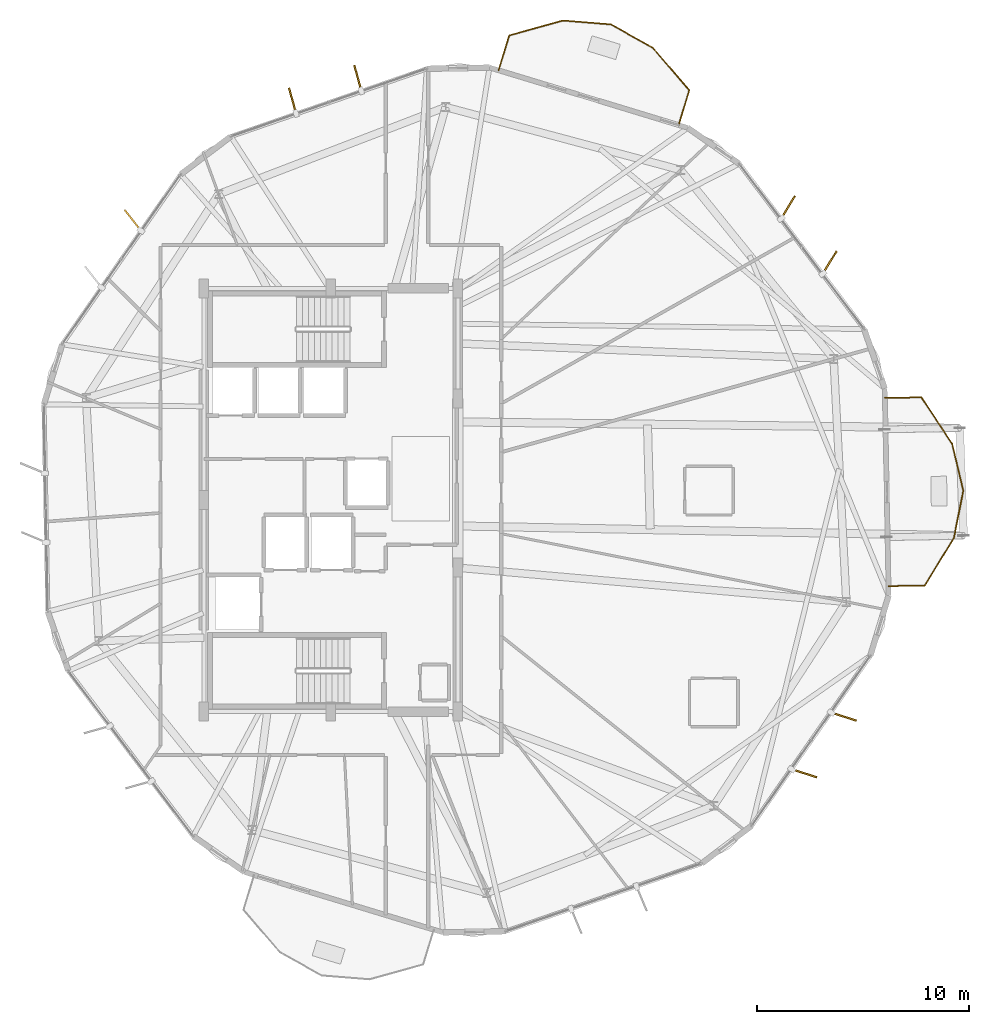
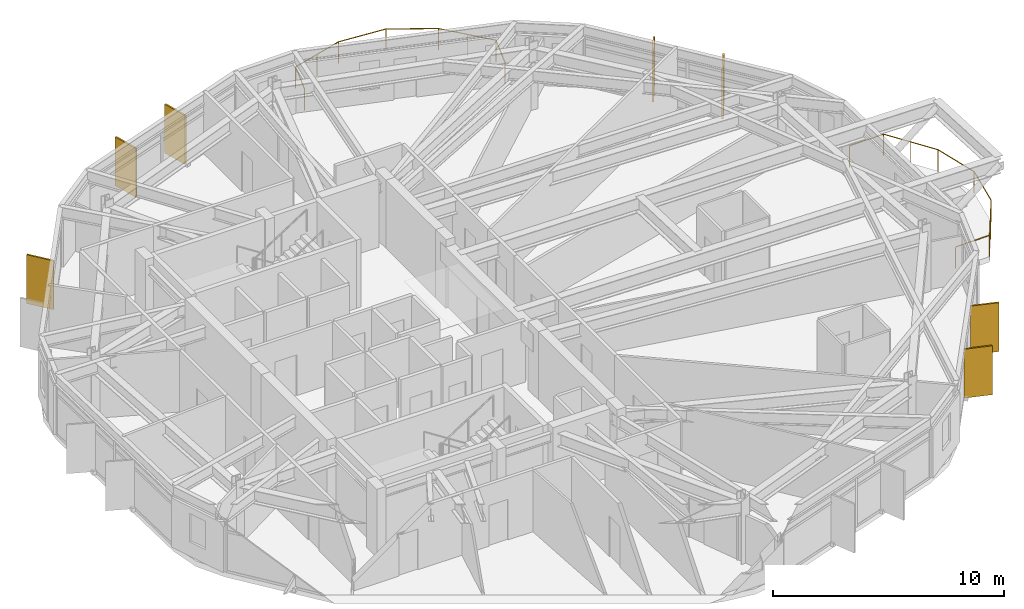
# One storey, part 34 of 34: 7 shading devices, 2 railings.
"""IFC4 building model written with IfcOpenShell, lengths in metres."""

from ifc_helpers import new_model, si_unit, direction, frame, origin, origin_2d, place, context, subcontext, project, spatial, rectangle, circle, extrude, material, layer, layer_set, type_object, element, save


model = new_model("IFC4")

# Units and contexts
model_context = context("Model", 3, precision=1e-05, world=origin(), true_north=direction((0.0, 1.0)))
body_context = subcontext(model_context, "Body", "Model", "MODEL_VIEW")
ifc_project = project(units=[si_unit("LENGTHUNIT", "METRE"), si_unit("AREAUNIT", "SQUARE_METRE"), si_unit("VOLUMEUNIT", "CUBIC_METRE"), si_unit("PLANEANGLEUNIT", "RADIAN"), si_unit("MASSUNIT", "GRAM", prefix="KILO")], contexts=[model_context])

# Site, building, storey
site_placement = place(None, origin())
site = spatial("IfcSite", under=ifc_project, at=site_placement, CompositionType="ELEMENT")
building_placement = place(site_placement, origin())
building = spatial("IfcBuilding", under=site, at=building_placement, Name="Soratama Intermodal Tower", CompositionType="ELEMENT")
storey_placement = place(building_placement, frame((0.0, 0.0, 233.800048828125)))
storey = spatial("IfcBuildingStorey", under=building, at=storey_placement, Name="L59", CompositionType="ELEMENT", Elevation=233.800048828125)

# Railings
ifc_material_1 = material(Name="Laminated glass and stainless steel balustrade", Category="steel")
railing_type = type_object("IfcRailingType", Name="RL-BAL-1150", PredefinedType="BALUSTRADE", material=ifc_material_1)
railing_1_placement = place(storey_placement, frame((64.789794921875, 29.82275390625, 0.0)))
element("IfcRailing", 1, at=railing_1_placement, inside=storey, type_object=railing_type, Name="L59 Balcony Balustrade 1", PredefinedType="BALUSTRADE", context=body_context, shape_type="SweptSolid", body=[
    extrude(circle(Radius=0.02392578125, at=origin_2d()), frame((0.0, 0.0, 1.1259765625), z_axis=(0.999824464561, 0.01873606322, 0.0), x_axis=(-0.01873606322, 0.999824464561, 0.0)), (0.0, 0.0, 1.0), 1.719970703125),
    extrude(circle(Radius=0.02392578125, at=origin_2d()), frame((1.7197265625, 0.0322265625, 1.1259765625), z_axis=(0.552582701725, -0.833458071983, 0.0), x_axis=(0.833458071983, 0.552582701725, 0.0)), (0.0, 0.0, 1.0), 2.63623046875),
    extrude(circle(Radius=0.02392578125, at=origin_2d()), frame((3.176513671875, -2.1650390625, 1.1259765625), z_axis=(0.23131605644, -0.972878657404, 0.0), x_axis=(0.972878657404, 0.23131605644, 0.0)), (0.0, 0.0, 1.0), 2.276611328125),
    extrude(circle(Radius=0.02392578125, at=origin_2d()), frame((3.703125, -4.3798828125, 1.1259765625), z_axis=(-0.194527945269, -0.980896976501, 0.0), x_axis=(0.980896976501, -0.194527945269, 0.0)), (0.0, 0.0, 1.0), 2.276611328125),
    extrude(circle(Radius=0.02392578125, at=origin_2d()), frame((3.26025390625, -6.613037109375, 1.1259765625), z_axis=(-0.520786871981, -0.853686730582, 0.0), x_axis=(0.853686730582, -0.520786871981, 0.0)), (0.0, 0.0, 1.0), 2.636474609375),
    extrude(circle(Radius=0.02392578125, at=origin_2d()), frame((1.88720703125, -8.86376953125, 1.1259765625), z_axis=(-0.999821744978, -0.018880632129, 0.0), x_axis=(0.018880632129, -0.999821744978, 0.0)), (0.0, 0.0, 1.0), 1.7197265625),
    extrude(circle(Radius=0.02099609375, at=origin_2d()), origin(), (0.0, 0.0, 1.0), 1.101806640625),
    extrude(circle(Radius=0.02099609375, at=origin_2d()), frame((1.7197265625, 0.0322265625, 0.0)), (0.0, 0.0, 1.0), 1.101806640625),
    extrude(circle(Radius=0.02099609375, at=origin_2d()), frame((2.4482421875, -1.06640625, 0.0)), (0.0, 0.0, 1.0), 1.101806640625),
    extrude(circle(Radius=0.02099609375, at=origin_2d()), frame((3.176513671875, -2.1650390625, 0.0)), (0.0, 0.0, 1.0), 1.101806640625),
    extrude(circle(Radius=0.02099609375, at=origin_2d()), frame((3.703125, -4.3798828125, 0.0)), (0.0, 0.0, 1.0), 1.101806640625),
    extrude(circle(Radius=0.02099609375, at=origin_2d()), frame((3.26025390625, -6.613037109375, 0.0)), (0.0, 0.0, 1.0), 1.101806640625),
    extrude(circle(Radius=0.02099609375, at=origin_2d()), frame((2.57373046875, -7.73828125, 0.0)), (0.0, 0.0, 1.0), 1.101806640625),
    extrude(circle(Radius=0.02099609375, at=origin_2d()), frame((1.88720703125, -8.86376953125, 0.0)), (0.0, 0.0, 1.0), 1.101806640625),
    extrude(circle(Radius=0.02099609375, at=origin_2d()), frame((0.167724609375, -8.896240234375, 0.0)), (0.0, 0.0, 1.0), 1.101806640625),
])
railing_2_placement = place(storey_placement, frame((46.52880859375, 45.311279296875, 0.0)))
element("IfcRailing", 2, at=railing_2_placement, inside=storey, type_object=railing_type, Name="L59 Balcony Balustrade 2", PredefinedType="BALUSTRADE", context=body_context, shape_type="SweptSolid", body=[
    extrude(circle(Radius=0.02392578125, at=origin_2d()), frame((0.0, 0.0, 1.1259765625), z_axis=(0.290952645463, 0.956737455156, 0.0), x_axis=(-0.956737455156, 0.290952645463, 0.0)), (0.0, 0.0, 1.0), 1.72021484375),
    extrude(circle(Radius=0.02392578125, at=origin_2d()), frame((0.50048828125, 1.645751953125, 1.1259765625), z_axis=(0.96342232846, 0.267987718047, 0.0), x_axis=(-0.267987718047, 0.96342232846, 0.0)), (0.0, 0.0, 1.0), 2.636474609375),
    extrude(circle(Radius=0.02392578125, at=origin_2d()), frame((3.04052734375, 2.352294921875, 1.1259765625), z_axis=(0.996742576046, -0.080648850569, 0.0), x_axis=(0.080648850569, 0.996742576046, 0.0)), (0.0, 0.0, 1.0), 2.2763671875),
    extrude(circle(Radius=0.02392578125, at=origin_2d()), frame((5.3095703125, 2.168701171875, 1.1259765625), z_axis=(0.872772859059, -0.488126557862, 0.0), x_axis=(0.488126557862, 0.872772859059, 0.0)), (0.0, 0.0, 1.0), 2.276611328125),
    extrude(circle(Radius=0.02392578125, at=origin_2d()), frame((7.296630859375, 1.057373046875, 1.1259765625), z_axis=(0.651004881242, -0.759073543604, 0.0), x_axis=(0.759073543604, 0.651004881242, 0.0)), (0.0, 0.0, 1.0), 2.636474609375),
    extrude(circle(Radius=0.02392578125, at=origin_2d()), frame((9.012939453125, -0.94384765625, 1.1259765625), z_axis=(-0.290992158443, -0.956725438004, 0.0), x_axis=(0.956725438004, -0.290992158443, 0.0)), (0.0, 0.0, 1.0), 1.719970703125),
    extrude(circle(Radius=0.02099609375, at=origin_2d()), origin(), (0.0, 0.0, 1.0), 1.101806640625),
    extrude(circle(Radius=0.02099609375, at=origin_2d()), frame((0.50048828125, 1.645751953125, 0.0)), (0.0, 0.0, 1.0), 1.101806640625),
    extrude(circle(Radius=0.02099609375, at=origin_2d()), frame((1.7705078125, 1.9990234375, 0.0)), (0.0, 0.0, 1.0), 1.101806640625),
    extrude(circle(Radius=0.02099609375, at=origin_2d()), frame((3.04052734375, 2.352294921875, 0.0)), (0.0, 0.0, 1.0), 1.101806640625),
    extrude(circle(Radius=0.02099609375, at=origin_2d()), frame((5.3095703125, 2.168701171875, 0.0)), (0.0, 0.0, 1.0), 1.101806640625),
    extrude(circle(Radius=0.02099609375, at=origin_2d()), frame((7.296630859375, 1.057373046875, 0.0)), (0.0, 0.0, 1.0), 1.101806640625),
    extrude(circle(Radius=0.02099609375, at=origin_2d()), frame((8.15478515625, 0.056640625, 0.0)), (0.0, 0.0, 1.0), 1.101806640625),
    extrude(circle(Radius=0.02099609375, at=origin_2d()), frame((9.012939453125, -0.94384765625, 0.0)), (0.0, 0.0, 1.0), 1.101806640625),
    extrude(circle(Radius=0.02099609375, at=origin_2d()), frame((8.512451171875, -2.58935546875, 0.0)), (0.0, 0.0, 1.0), 1.101806640625),
])

# Shading devices
ifc_material_2 = material(Name="Champagne anodised aluminium solar fin", Category="aluminium")
ifc_layer = layer(ifc_material_2, 0.080078125)
ifc_layer_set = layer_set([ifc_layer], Name="Champagne anodised aluminium solar fin")
shading_device_type = type_object("IfcShadingDeviceType", Name="SH-FIN-1250", PredefinedType="USERDEFINED", material=ifc_layer_set)
for number, where, z_axis, x_axis, name in (
    (3, (39.875, 44.94091796875, 0.02001953125), (0.0, 0.0, 1.0), (-0.264378054854, 0.964419122639, 0.0), "L59 Solar Fin F02-1"),
    (4, (36.78857421875, 43.873291015625, 0.02001953125), (0.0, 0.0, 1.0), (-0.264378054854, 0.964419122639, 0.0), "L59 Solar Fin F02-2"),
    (5, (29.23828125, 38.224609375, 0.02001953125), (0.0, 0.0, 1.0), (-0.617173211813, 0.7868273169, 0.0), "L59 Solar Fin F03-1"),
    (6, (60.97705078125, 12.083984375, 0.02001953125), (0.0, 0.0, 1.0), (0.951325822325, -0.308186923436, 0.0), "L59 Solar Fin F08-1"),
    (7, (62.8466796875, 14.761962890625, 0.02001953125), (0.0, 0.0, 1.0), (0.951325822325, -0.308186923436, 0.0), "L59 Solar Fin F08-2"),
    (8, (62.1796875, 36.2314453125, 0.02001953125), (0.0, 0.0, 1.0), (0.523093692466, 0.852275183789, 0.0), "L59 Solar Fin F10-1"),
    (9, (60.210693359375, 38.8369140625, 0.02001953125), (0.0, 0.0, 1.0), (0.523093692466, 0.852275183789, 0.0), "L59 Solar Fin F10-2"),
):
    element("IfcShadingDevice", number, at=place(storey_placement, frame(where, z_axis=z_axis, x_axis=x_axis)), inside=storey, type_object=shading_device_type, Name=name, ObjectType="FIN", PredefinedType="USERDEFINED", context=body_context, shape_type="SweptSolid", body=[
        extrude(rectangle(XDim=1.25, YDim=0.080078125, at=origin_2d()), origin(), (0.0, 0.0, 1.0), 2.5791015625),
    ])

save(model, "model.ifc")
